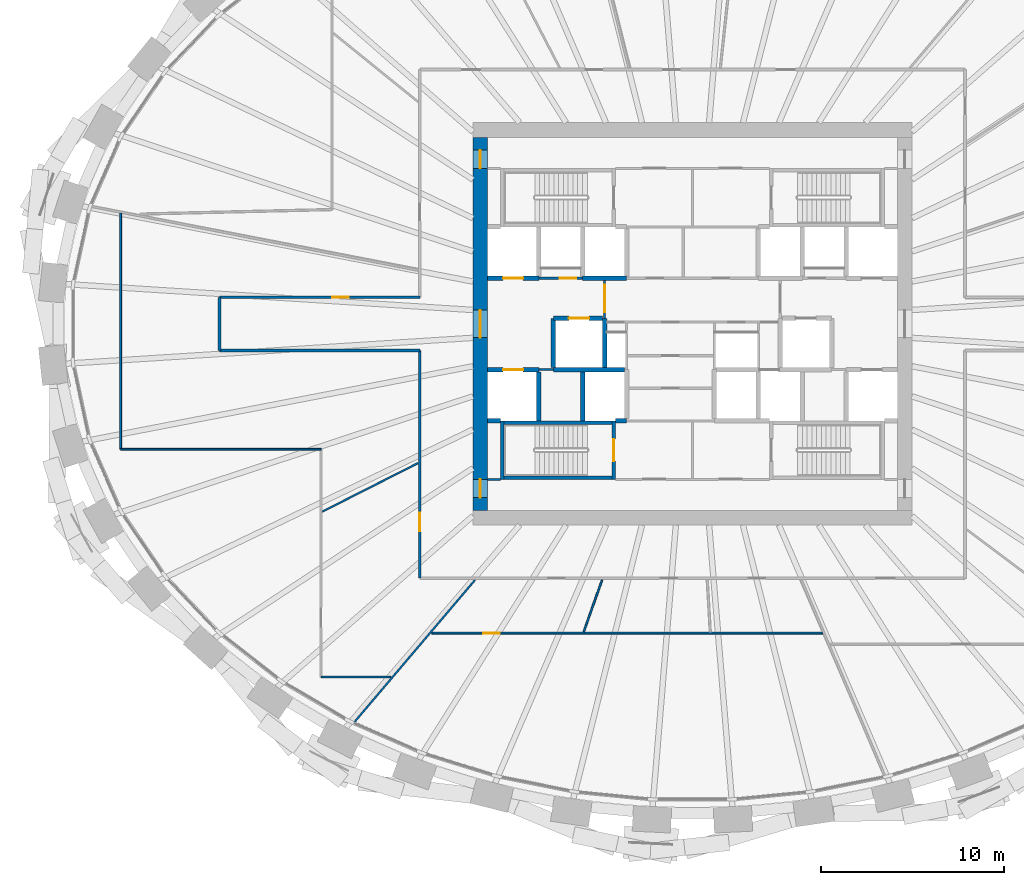
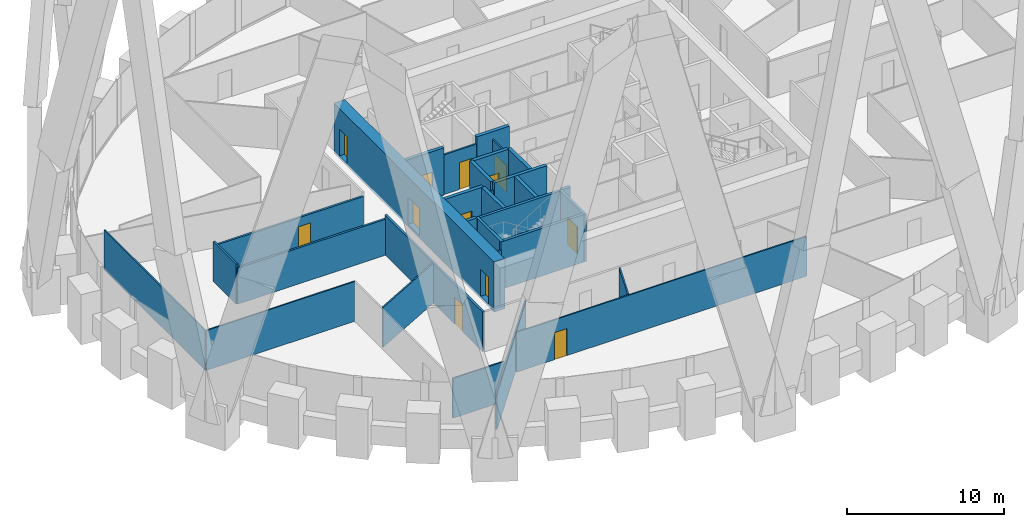
# One storey, part 7 of 12: 31 walls, 12 doors, 12 openings.
"""IFC4 building model written with IfcOpenShell, lengths in metres."""

from ifc_helpers import new_model, si_unit, direction, frame, frame_2d, origin, place, context, subcontext, project, spatial, rectangle, extrude, source, transform, mapped, material, layer, layer_set, type_object, element, fill, save


model = new_model("IFC4")

# Units and contexts
model_context = context("Model", 3, precision=1e-05, world=origin(), true_north=direction((0.0, 1.0)))
body_context = subcontext(model_context, "Body", "Model", "MODEL_VIEW")
ifc_project = project(units=[si_unit("LENGTHUNIT", "METRE"), si_unit("AREAUNIT", "SQUARE_METRE"), si_unit("VOLUMEUNIT", "CUBIC_METRE"), si_unit("PLANEANGLEUNIT", "RADIAN"), si_unit("MASSUNIT", "GRAM", prefix="KILO")], contexts=[model_context])

# Site, building, storey
site_placement = place(None, origin())
site = spatial("IfcSite", under=ifc_project, at=site_placement, CompositionType="ELEMENT")
building_placement = place(site_placement, origin())
building = spatial("IfcBuilding", under=site, at=building_placement, Name="Embergate Tower", CompositionType="ELEMENT")
storey_placement = place(building_placement, frame((0.0, 0.0, 222.89990234375)))
storey = spatial("IfcBuildingStorey", under=building, at=storey_placement, Name="L51", CompositionType="ELEMENT", Elevation=222.89990234375)

# Wall, openings, doors
ifc_material_1 = material(Name="Concrete C70", Category="concrete")
ifc_layer_1 = layer(ifc_material_1, 0.800048828125)
ifc_layer_set_1 = layer_set([ifc_layer_1], Name="Concrete C70")
wall_type_1 = type_object("IfcWallType", Name="Core outer wall C70 800", PredefinedType="SHEAR", material=ifc_layer_set_1)
shared_shape_1 = source(origin(), body_context, "Body", "SweptSolid", [
    extrude(rectangle(XDim=20.39990234375, YDim=0.800048828125, at=frame_2d((10.199951171875, 0.0))), origin(), (0.0, 0.0, 1.0), 3.900146484375),
])
wall_1_placement = place(storey_placement, frame((-11.60009765625, -10.199951171875, -0.199951171875), z_axis=(0.0, 0.0, 1.0), x_axis=(0.0, 1.0, 0.0)))
wall_1 = element("IfcWall", 1, at=wall_1_placement, inside=storey, type_object=wall_type_1, Name="CW-L51-W", PredefinedType="SHEAR", context=body_context, shape_type="MappedRepresentation", body=[
    mapped(shared_shape_1, transform((0.0, 0.0, 0.0))),
])
shared_shape_2 = source(origin(), body_context, "Body", "SweptSolid", [
    extrude(rectangle(XDim=1.0, YDim=2.10009765625, at=frame_2d((0.5, 1.050048828125))), frame((0.0, 0.409912109375, 0.0), z_axis=(0.0, -1.0, 0.0), x_axis=(1.0, 0.0, 0.0)), (0.0, 0.0, 1.0), 0.820068359375),
])
opening_1_placement = place(wall_1_placement, frame((18.699951171875, 0.0, 0.199951171875)))
opening_1 = element("IfcOpeningElement", 2, at=opening_1_placement, cuts=wall_1, Name="Opening IF-1d", PredefinedType="OPENING", context=body_context, shape_type="MappedRepresentation", body=[
    mapped(shared_shape_2, transform((0.0, 0.0, 0.0))),
])
opening_2_placement = place(wall_1_placement, frame((0.699951171875, 0.0, 0.199951171875)))
opening_2 = element("IfcOpeningElement", 3, at=opening_2_placement, cuts=wall_1, Name="Opening IF-1d", PredefinedType="OPENING", context=body_context, shape_type="MappedRepresentation", body=[
    mapped(shared_shape_2, transform((0.0, 0.0, 0.0))),
])
shared_shape_3 = source(origin(), body_context, "Body", "SweptSolid", [
    extrude(rectangle(XDim=1.5, YDim=2.10009765625, at=frame_2d((0.75, 1.050048828125))), frame((0.0, 0.409912109375, 0.0), z_axis=(0.0, -1.0, 0.0), x_axis=(1.0, 0.0, 0.0)), (0.0, 0.0, 1.0), 0.820068359375),
])
opening_3_placement = place(wall_1_placement, frame((9.449951171875, 0.0, 0.199951171875)))
opening_3 = element("IfcOpeningElement", 4, at=opening_3_placement, cuts=wall_1, Name="Opening IF-3", PredefinedType="OPENING", context=body_context, shape_type="MappedRepresentation", body=[
    mapped(shared_shape_3, transform((0.0, 0.0, 0.0))),
])
ifc_material_2 = material(Name="Lobby fire door pair 1500")
door_type_1 = type_object("IfcDoorType", Name="Lobby fire door pair 1500", OperationType="DOUBLE_DOOR_SINGLE_SWING", PredefinedType="DOOR", material=ifc_material_2)
shared_shape_4 = source(origin(), body_context, "Body", "SweptSolid", [
    extrude(rectangle(XDim=1.5, YDim=2.10009765625, at=frame_2d((0.75, 1.050048828125))), frame((0.0, 0.02490234375, 0.0), z_axis=(0.0, -1.0, 0.0), x_axis=(1.0, 0.0, 0.0)), (0.0, 0.0, 1.0), 0.050048828125),
])
door_1_placement = place(opening_3_placement, origin())
door_1 = element("IfcDoor", 5, at=door_1_placement, inside=storey, type_object=door_type_1, Name="IF-3 door", OperationType="DOUBLE_DOOR_SINGLE_SWING", OverallHeight=2.10009765625, OverallWidth=1.5, PredefinedType="DOOR", context=body_context, shape_type="MappedRepresentation", body=[
    mapped(shared_shape_4, transform((0.0, 0.0, 0.0))),
])
fill(opening_3, door_1)
ifc_material_3 = material(Name="Escape fire door 1000")
door_type_2 = type_object("IfcDoorType", Name="Escape fire door 1000", OperationType="SINGLE_SWING_LEFT", PredefinedType="DOOR", material=ifc_material_3)
shared_shape_5 = source(origin(), body_context, "Body", "SweptSolid", [
    extrude(rectangle(XDim=1.0, YDim=2.10009765625, at=frame_2d((0.5, 1.050048828125))), frame((0.0, 0.02490234375, 0.0), z_axis=(0.0, -1.0, 0.0), x_axis=(1.0, 0.0, 0.0)), (0.0, 0.0, 1.0), 0.050048828125),
])
door_2_placement = place(opening_1_placement, origin())
door_2 = element("IfcDoor", 6, at=door_2_placement, inside=storey, type_object=door_type_2, Name="IF-1 door", OperationType="SINGLE_SWING_LEFT", OverallHeight=2.10009765625, OverallWidth=1.0, PredefinedType="DOOR", context=body_context, shape_type="MappedRepresentation", body=[
    mapped(shared_shape_5, transform((0.0, 0.0, 0.0))),
])
fill(opening_1, door_2)
door_3_placement = place(opening_2_placement, origin())
door_3 = element("IfcDoor", 7, at=door_3_placement, inside=storey, type_object=door_type_2, Name="IF-1 door", OperationType="SINGLE_SWING_RIGHT", OverallHeight=2.10009765625, OverallWidth=1.0, PredefinedType="DOOR", context=body_context, shape_type="MappedRepresentation", body=[
    mapped(shared_shape_5, transform((0.0, 0.0, 0.0))),
])
fill(opening_2, door_3)

# Wall, opening, door
ifc_material_4 = material(Name="Core partition blockwork 120")
ifc_layer_2 = layer(ifc_material_4, 0.1201171875)
ifc_layer_set_2 = layer_set([ifc_layer_2], Name="Core partition blockwork 120")
wall_type_2 = type_object("IfcWallType", Name="Core partition blockwork 120", PredefinedType="PARTITIONING", material=ifc_layer_set_2)
shared_shape_6 = source(origin(), body_context, "Body", "SweptSolid", [
    extrude(rectangle(XDim=2.074951171875, YDim=0.1201171875, at=frame_2d((1.03759765625, 0.0))), origin(), (0.0, 0.0, 1.0), 3.10009765625),
])
wall_2_placement = place(storey_placement, frame((-4.800048828125, 2.375, 0.0), z_axis=(0.0, 0.0, 1.0), x_axis=(0.0, -1.0, 0.0)))
wall_2 = element("IfcWall", 8, at=wall_2_placement, inside=storey, type_object=wall_type_2, Name="IP-3 wall", PredefinedType="PARTITIONING", context=body_context, shape_type="MappedRepresentation", body=[
    mapped(shared_shape_6, transform((0.0, 0.0, 0.0))),
])
shared_shape_7 = source(origin(), body_context, "Body", "SweptSolid", [
    extrude(rectangle(XDim=1.5, YDim=2.10009765625, at=frame_2d((0.75, 1.050048828125))), frame((0.0, 0.070068359375, 0.0), z_axis=(0.0, -1.0, 0.0), x_axis=(1.0, 0.0, 0.0)), (0.0, 0.0, 1.0), 0.14013671875),
])
opening_4_placement = place(wall_2_placement, frame((0.22509765625, 0.0, 0.0)))
opening_4 = element("IfcOpeningElement", 9, at=opening_4_placement, cuts=wall_2, Name="Opening IF-3", PredefinedType="OPENING", context=body_context, shape_type="MappedRepresentation", body=[
    mapped(shared_shape_7, transform((0.0, 0.0, 0.0))),
])
door_4_placement = place(opening_4_placement, origin())
door_4 = element("IfcDoor", 10, at=door_4_placement, inside=storey, type_object=door_type_1, Name="IF-3 door", OperationType="DOUBLE_DOOR_SINGLE_SWING", OverallHeight=2.10009765625, OverallWidth=1.5, PredefinedType="DOOR", context=body_context, shape_type="MappedRepresentation", body=[
    mapped(shared_shape_4, transform((0.0, 0.0, 0.0))),
])
fill(opening_4, door_4)

# Wall
ifc_material_5 = material(Name="Concrete C50", Category="concrete")
ifc_layer_3 = layer(ifc_material_5, 0.25)
ifc_layer_set_3 = layer_set([ifc_layer_3], Name="Concrete C50")
wall_type_3 = type_object("IfcWallType", Name="Hoistway wall reinforced concrete 250", PredefinedType="SHEAR", material=ifc_layer_set_3)
shared_shape_8 = source(origin(), body_context, "Body", "SweptSolid", [
    extrude(rectangle(XDim=2.675048828125, YDim=0.25, at=frame_2d((1.33740234375, 0.0))), origin(), (0.0, 0.0, 1.0), 3.7001953125),
])
wall_3_placement = place(storey_placement, frame((-4.800048828125, 0.300048828125, 0.0), z_axis=(0.0, 0.0, 1.0), x_axis=(0.0, -1.0, 0.0)))
element("IfcWall", 11, at=wall_3_placement, inside=storey, type_object=wall_type_3, Name="HW-1 wall", PredefinedType="SHEAR", context=body_context, shape_type="MappedRepresentation", body=[
    mapped(shared_shape_8, transform((0.0, 0.0, 0.0))),
])

# Wall, opening, door
wall_4_placement = place(storey_placement, frame((-4.925048828125, 0.300048828125, 0.0), z_axis=(0.0, 0.0, 1.0), x_axis=(-1.0, 0.0, 0.0)))
wall_4 = element("IfcWall", 12, at=wall_4_placement, inside=storey, type_object=wall_type_3, Name="HW-1 wall", PredefinedType="SHEAR", context=body_context, shape_type="MappedRepresentation", body=[
    mapped(shared_shape_8, transform((0.0, 0.0, 0.0))),
])
shared_shape_9 = source(origin(), body_context, "Body", "SweptSolid", [
    extrude(rectangle(XDim=1.10009765625, YDim=2.10009765625, at=frame_2d((0.550048828125, 1.050048828125))), frame((0.0, 0.135009765625, 0.0), z_axis=(0.0, -1.0, 0.0), x_axis=(1.0, 0.0, 0.0)), (0.0, 0.0, 1.0), 0.27001953125),
])
opening_5_placement = place(wall_4_placement, frame((0.72509765625, 0.0, 0.0)))
opening_5 = element("IfcOpeningElement", 13, at=opening_5_placement, cuts=wall_4, Name="Opening LD", PredefinedType="OPENING", context=body_context, shape_type="MappedRepresentation", body=[
    mapped(shared_shape_9, transform((0.0, 0.0, 0.0))),
])
ifc_material_6 = material(Name="Landing door sliding 1100")
door_type_3 = type_object("IfcDoorType", Name="Landing door sliding 1100", OperationType="SLIDING_TO_LEFT", PredefinedType="DOOR", material=ifc_material_6)
shared_shape_10 = source(origin(), body_context, "Body", "SweptSolid", [
    extrude(rectangle(XDim=1.10009765625, YDim=2.10009765625, at=frame_2d((0.550048828125, 1.050048828125))), frame((0.0, 0.02490234375, 0.0), z_axis=(0.0, -1.0, 0.0), x_axis=(1.0, 0.0, 0.0)), (0.0, 0.0, 1.0), 0.050048828125),
])
door_5_placement = place(opening_5_placement, origin())
door_5 = element("IfcDoor", 14, at=door_5_placement, inside=storey, type_object=door_type_3, Name="LD door", OperationType="SLIDING_TO_RIGHT", OverallHeight=2.10009765625, OverallWidth=1.10009765625, PredefinedType="DOOR", context=body_context, shape_type="MappedRepresentation", body=[
    mapped(shared_shape_10, transform((0.0, 0.0, 0.0))),
])
fill(opening_5, door_5)

# Walls
wall_5_placement = place(storey_placement, frame((-7.60009765625, 0.300048828125, 0.0), z_axis=(0.0, 0.0, 1.0), x_axis=(0.0, -1.0, 0.0)))
element("IfcWall", 15, at=wall_5_placement, inside=storey, type_object=wall_type_3, Name="HW-1 wall", PredefinedType="SHEAR", context=body_context, shape_type="MappedRepresentation", body=[
    mapped(shared_shape_8, transform((0.0, 0.0, 0.0))),
])
ifc_layer_4 = layer(ifc_material_5, 0.199951171875)
ifc_layer_set_4 = layer_set([ifc_layer_4], Name="Concrete C50")
wall_type_4 = type_object("IfcWallType", Name="Stair enclosure wall reinforced concrete 250", PredefinedType="SHEAR", material=ifc_layer_set_4)
shared_shape_11 = source(origin(), body_context, "Body", "SweptSolid", [
    extrude(rectangle(XDim=6.300048828125, YDim=0.199951171875, at=frame_2d((3.14990234375, 0.0))), origin(), (0.0, 0.0, 1.0), 3.7001953125),
])
for number, where, z_axis, x_axis, name in (
    (16, (-10.5, -5.39990234375, 0.0), (0.0, 0.0, 1.0), (1.0, 0.0, 0.0), "SE-1 wall"),
    (17, (-10.5, -8.39990234375, 0.0), (0.0, 0.0, 1.0), (1.0, 0.0, 0.0), "SE-1 wall"),
):
    element("IfcWall", number, at=place(storey_placement, frame(where, z_axis=z_axis, x_axis=x_axis)), inside=storey, type_object=wall_type_4, Name=name, PredefinedType="SHEAR", context=body_context, shape_type="MappedRepresentation", body=[
        mapped(shared_shape_11, transform((0.0, 0.0, 0.0))),
    ])

# Wall, opening, door
shared_shape_12 = source(origin(), body_context, "Body", "SweptSolid", [
    extrude(rectangle(XDim=3.199951171875, YDim=0.199951171875, at=frame_2d((1.60009765625, 0.0))), origin(), (0.0, 0.0, 1.0), 3.7001953125),
])
wall_6_placement = place(storey_placement, frame((-4.300048828125, -8.5, 0.0), z_axis=(0.0, 0.0, 1.0), x_axis=(0.0, 1.0, 0.0)))
wall_6 = element("IfcWall", 18, at=wall_6_placement, inside=storey, type_object=wall_type_4, Name="SE-1 wall", PredefinedType="SHEAR", context=body_context, shape_type="MappedRepresentation", body=[
    mapped(shared_shape_12, transform((0.0, 0.0, 0.0))),
])
shared_shape_13 = source(origin(), body_context, "Body", "SweptSolid", [
    extrude(rectangle(XDim=1.199951171875, YDim=2.10009765625, at=frame_2d((0.60009765625, 1.050048828125))), frame((0.0, 0.10986328125, 0.0), z_axis=(0.0, -1.0, 0.0), x_axis=(1.0, 0.0, 0.0)), (0.0, 0.0, 1.0), 0.219970703125),
])
opening_6_placement = place(wall_6_placement, frame((1.0, 0.0, 0.0)))
opening_6 = element("IfcOpeningElement", 19, at=opening_6_placement, cuts=wall_6, Name="Opening IF-2", PredefinedType="OPENING", context=body_context, shape_type="MappedRepresentation", body=[
    mapped(shared_shape_13, transform((0.0, 0.0, 0.0))),
])
ifc_material_7 = material(Name="Stair enclosure door 1200")
door_type_4 = type_object("IfcDoorType", Name="Stair enclosure door 1200", OperationType="SINGLE_SWING_LEFT", PredefinedType="DOOR", material=ifc_material_7)
shared_shape_14 = source(origin(), body_context, "Body", "SweptSolid", [
    extrude(rectangle(XDim=1.199951171875, YDim=2.10009765625, at=frame_2d((0.60009765625, 1.050048828125))), frame((0.0, 0.02490234375, 0.0), z_axis=(0.0, -1.0, 0.0), x_axis=(1.0, 0.0, 0.0)), (0.0, 0.0, 1.0), 0.050048828125),
])
door_6_placement = place(opening_6_placement, origin())
door_6 = element("IfcDoor", 20, at=door_6_placement, inside=storey, type_object=door_type_4, Name="IF-2 door", OperationType="SINGLE_SWING_RIGHT", OverallHeight=2.10009765625, OverallWidth=1.199951171875, PredefinedType="DOOR", context=body_context, shape_type="MappedRepresentation", body=[
    mapped(shared_shape_14, transform((0.0, 0.0, 0.0))),
])
fill(opening_6, door_6)

# Walls
shared_shape_15 = source(origin(), body_context, "Body", "SweptSolid", [
    extrude(rectangle(XDim=2.39990234375, YDim=0.25, at=frame_2d((1.199951171875, 0.0))), origin(), (0.0, 0.0, 1.0), 3.7001953125),
])
wall_7_placement = place(storey_placement, frame((-6.0, 2.5, 0.0), z_axis=(0.0, 0.0, 1.0), x_axis=(1.0, 0.0, 0.0)))
element("IfcWall", 21, at=wall_7_placement, inside=storey, type_object=wall_type_3, Name="HW-1 wall", PredefinedType="SHEAR", context=body_context, shape_type="MappedRepresentation", body=[
    mapped(shared_shape_15, transform((0.0, 0.0, 0.0))),
])
ifc_material_8 = material(Name="Partition dry-lined 100")
ifc_layer_5 = layer(ifc_material_8, 0.10009765625)
ifc_layer_set_5 = layer_set([ifc_layer_5], Name="Partition dry-lined 100")
wall_type_5 = type_object("IfcWallType", Name="Partition dry-lined 100", PredefinedType="PARTITIONING", material=ifc_layer_set_5)
shared_shape_16 = source(origin(), body_context, "Body", "SweptSolid", [
    extrude(rectangle(XDim=10.949951171875, YDim=0.10009765625, at=frame_2d((5.47509765625, 0.0))), origin(), (0.0, 0.0, 1.0), 3.10009765625),
])
wall_8_placement = place(storey_placement, frame((-20.300048828125, -6.85009765625, 0.0), z_axis=(0.0, 0.0, 1.0), x_axis=(-1.0, 0.0, 0.0)))
element("IfcWall", 22, at=wall_8_placement, inside=storey, type_object=wall_type_5, Name="IP-1 wall", PredefinedType="PARTITIONING", context=body_context, shape_type="MappedRepresentation", body=[
    mapped(shared_shape_16, transform((0.0, 0.0, 0.0))),
])

# Wall, opening, door
shared_shape_17 = source(origin(), body_context, "Body", "SweptSolid", [
    extrude(rectangle(XDim=2.39990234375, YDim=0.1201171875, at=frame_2d((1.199951171875, 0.0))), origin(), (0.0, 0.0, 1.0), 3.10009765625),
])
wall_9_placement = place(storey_placement, frame((-8.39990234375, 2.5, 0.0), z_axis=(0.0, 0.0, 1.0), x_axis=(1.0, 0.0, 0.0)))
wall_9 = element("IfcWall", 23, at=wall_9_placement, inside=storey, type_object=wall_type_2, Name="IP-3 wall", PredefinedType="PARTITIONING", context=body_context, shape_type="MappedRepresentation", body=[
    mapped(shared_shape_17, transform((0.0, 0.0, 0.0))),
])
shared_shape_18 = source(origin(), body_context, "Body", "SweptSolid", [
    extrude(rectangle(XDim=0.89990234375, YDim=2.10009765625, at=frame_2d((0.449951171875, 1.050048828125))), frame((0.0, 0.070068359375, 0.0), z_axis=(0.0, -1.0, 0.0), x_axis=(1.0, 0.0, 0.0)), (0.0, 0.0, 1.0), 0.14013671875),
])
opening_7_placement = place(wall_9_placement, frame((1.14990234375, 0.0, 0.0)))
opening_7 = element("IfcOpeningElement", 24, at=opening_7_placement, cuts=wall_9, Name="Opening ID-1", PredefinedType="OPENING", context=body_context, shape_type="MappedRepresentation", body=[
    mapped(shared_shape_18, transform((0.0, 0.0, 0.0))),
])
ifc_material_9 = material(Name="Interior door 900")
door_type_5 = type_object("IfcDoorType", Name="Interior door 900", OperationType="SINGLE_SWING_LEFT", PredefinedType="DOOR", material=ifc_material_9)
shared_shape_19 = source(origin(), body_context, "Body", "SweptSolid", [
    extrude(rectangle(XDim=0.89990234375, YDim=2.10009765625, at=frame_2d((0.449951171875, 1.050048828125))), frame((0.0, 0.02490234375, 0.0), z_axis=(0.0, -1.0, 0.0), x_axis=(1.0, 0.0, 0.0)), (0.0, 0.0, 1.0), 0.050048828125),
])
door_7_placement = place(opening_7_placement, origin())
door_7 = element("IfcDoor", 25, at=door_7_placement, inside=storey, type_object=door_type_5, Name="ID-1 door", OperationType="SINGLE_SWING_RIGHT", OverallHeight=2.10009765625, OverallWidth=0.89990234375, PredefinedType="DOOR", context=body_context, shape_type="MappedRepresentation", body=[
    mapped(shared_shape_19, transform((0.0, 0.0, 0.0))),
])
fill(opening_7, door_7)

# Walls
shared_shape_20 = source(origin(), body_context, "Body", "SweptSolid", [
    extrude(rectangle(XDim=0.7958984375, YDim=0.1201171875, at=frame_2d((0.39794921875, 0.0))), origin(), (0.0, 0.0, 1.0), 3.10009765625),
])
wall_10_placement = place(storey_placement, frame((-8.39794921875, -2.5, 0.0), z_axis=(0.0, 0.0, 1.0), x_axis=(1.0, 0.0, 0.0)))
element("IfcWall", 26, at=wall_10_placement, inside=storey, type_object=wall_type_2, Name="IP-3 wall", PredefinedType="PARTITIONING", context=body_context, shape_type="MappedRepresentation", body=[
    mapped(shared_shape_20, transform((0.0, 0.0, 0.0))),
])
shared_shape_21 = source(origin(), body_context, "Body", "SweptSolid", [
    extrude(rectangle(XDim=0.697998046875, YDim=0.1201171875, at=frame_2d((0.34912109375, 0.0))), origin(), (0.0, 0.0, 1.0), 3.10009765625),
])
wall_11_placement = place(storey_placement, frame((-10.501953125, -8.5, 0.0), z_axis=(0.0, 0.0, 1.0), x_axis=(-1.0, 0.0, 0.0)))
element("IfcWall", 27, at=wall_11_placement, inside=storey, type_object=wall_type_2, Name="IP-3 wall", PredefinedType="PARTITIONING", context=body_context, shape_type="MappedRepresentation", body=[
    mapped(shared_shape_21, transform((0.0, 0.0, 0.0))),
])

# Wall, opening, door
shared_shape_22 = source(origin(), body_context, "Body", "SweptSolid", [
    extrude(rectangle(XDim=2.800048828125, YDim=0.25, at=frame_2d((1.39990234375, 0.0))), origin(), (0.0, 0.0, 1.0), 3.7001953125),
])
wall_12_placement = place(storey_placement, frame((-11.199951171875, 2.5, 0.0), z_axis=(0.0, 0.0, 1.0), x_axis=(1.0, 0.0, 0.0)))
wall_12 = element("IfcWall", 28, at=wall_12_placement, inside=storey, type_object=wall_type_3, Name="HW-1 wall", PredefinedType="SHEAR", context=body_context, shape_type="MappedRepresentation", body=[
    mapped(shared_shape_22, transform((0.0, 0.0, 0.0))),
])
opening_8_placement = place(wall_12_placement, frame((0.85009765625, 0.0, 0.0)))
opening_8 = element("IfcOpeningElement", 29, at=opening_8_placement, cuts=wall_12, Name="Opening LD", PredefinedType="OPENING", context=body_context, shape_type="MappedRepresentation", body=[
    mapped(shared_shape_9, transform((0.0, 0.0, 0.0))),
])
door_8_placement = place(opening_8_placement, origin())
door_8 = element("IfcDoor", 30, at=door_8_placement, inside=storey, type_object=door_type_3, Name="LD door", OperationType="SLIDING_TO_LEFT", OverallHeight=2.10009765625, OverallWidth=1.10009765625, PredefinedType="DOOR", context=body_context, shape_type="MappedRepresentation", body=[
    mapped(shared_shape_10, transform((0.0, 0.0, 0.0))),
])
fill(opening_8, door_8)

wall_13_placement = place(storey_placement, frame((-8.39990234375, -2.5, 0.0), z_axis=(0.0, 0.0, 1.0), x_axis=(-1.0, 0.0, 0.0)))
wall_13 = element("IfcWall", 31, at=wall_13_placement, inside=storey, type_object=wall_type_3, Name="HW-1 wall", PredefinedType="SHEAR", context=body_context, shape_type="MappedRepresentation", body=[
    mapped(shared_shape_22, transform((0.0, 0.0, 0.0))),
])
opening_9_placement = place(wall_13_placement, frame((0.85009765625, 0.0, 0.0)))
opening_9 = element("IfcOpeningElement", 32, at=opening_9_placement, cuts=wall_13, Name="Opening LD", PredefinedType="OPENING", context=body_context, shape_type="MappedRepresentation", body=[
    mapped(shared_shape_9, transform((0.0, 0.0, 0.0))),
])
door_9_placement = place(opening_9_placement, origin())
door_9 = element("IfcDoor", 33, at=door_9_placement, inside=storey, type_object=door_type_3, Name="LD door", OperationType="SLIDING_TO_LEFT", OverallHeight=2.10009765625, OverallWidth=1.10009765625, PredefinedType="DOOR", context=body_context, shape_type="MappedRepresentation", body=[
    mapped(shared_shape_10, transform((0.0, 0.0, 0.0))),
])
fill(opening_9, door_9)

# Walls
shared_shape_23 = source(origin(), body_context, "Body", "SweptSolid", [
    extrude(rectangle(XDim=0.599853515625, YDim=0.25, at=frame_2d((0.2998046875, 0.0))), origin(), (0.0, 0.0, 1.0), 3.7001953125),
])
wall_14_placement = place(storey_placement, frame((-4.199951171875, -5.300048828125, 0.0), z_axis=(0.0, 0.0, 1.0), x_axis=(1.0, 0.0, 0.0)))
element("IfcWall", 34, at=wall_14_placement, inside=storey, type_object=wall_type_3, Name="HW-1 wall", PredefinedType="SHEAR", context=body_context, shape_type="MappedRepresentation", body=[
    mapped(shared_shape_23, transform((0.0, 0.0, 0.0))),
])
shared_shape_24 = source(origin(), body_context, "Body", "SweptSolid", [
    extrude(rectangle(XDim=3.872802734375, YDim=0.25, at=frame_2d((1.9365234375, 0.0))), origin(), (0.0, 0.0, 1.0), 3.7001953125),
])
wall_15_placement = place(storey_placement, frame((-3.72509765625, -2.5, 0.0), z_axis=(0.0, 0.0, 1.0), x_axis=(-1.0, 0.0, 0.0)))
element("IfcWall", 35, at=wall_15_placement, inside=storey, type_object=wall_type_3, Name="HW-1 wall", PredefinedType="SHEAR", context=body_context, shape_type="MappedRepresentation", body=[
    mapped(shared_shape_24, transform((0.0, 0.0, 0.0))),
])
shared_shape_25 = source(origin(), body_context, "Body", "SweptSolid", [
    extrude(rectangle(XDim=3.196044921875, YDim=0.199951171875, at=frame_2d((1.59814453125, 0.0))), origin(), (0.0, 0.0, 1.0), 3.7001953125),
])
wall_16_placement = place(storey_placement, frame((-10.39990234375, -5.302001953125, 0.0), z_axis=(0.0, 0.0, 1.0), x_axis=(0.0, -1.0, 0.0)))
element("IfcWall", 36, at=wall_16_placement, inside=storey, type_object=wall_type_4, Name="SE-1 wall", PredefinedType="SHEAR", context=body_context, shape_type="MappedRepresentation", body=[
    mapped(shared_shape_25, transform((0.0, 0.0, 0.0))),
])
shared_shape_26 = source(origin(), body_context, "Body", "SweptSolid", [
    extrude(rectangle(XDim=0.697998046875, YDim=0.25, at=frame_2d((0.34912109375, 0.0))), origin(), (0.0, 0.0, 1.0), 3.7001953125),
])
wall_17_placement = place(storey_placement, frame((-11.199951171875, -5.300048828125, 0.0), z_axis=(0.0, 0.0, 1.0), x_axis=(1.0, 0.0, 0.0)))
element("IfcWall", 37, at=wall_17_placement, inside=storey, type_object=wall_type_3, Name="HW-1 wall", PredefinedType="SHEAR", context=body_context, shape_type="MappedRepresentation", body=[
    mapped(shared_shape_26, transform((0.0, 0.0, 0.0))),
])
shared_shape_27 = source(origin(), body_context, "Body", "SweptSolid", [
    extrude(rectangle(XDim=2.671142578125, YDim=0.25, at=frame_2d((1.33544921875, 0.0))), origin(), (0.0, 0.0, 1.0), 3.7001953125),
])
for number, where, z_axis, x_axis, name in (
    (38, (-8.39990234375, -5.298095703125, 0.0), (0.0, 0.0, 1.0), (0.0, 1.0, 0.0), "HW-1 wall"),
    (39, (-6.0, -2.626953125, 0.0), (0.0, 0.0, 1.0), (0.0, -1.0, 0.0), "HW-1 wall"),
):
    element("IfcWall", number, at=place(storey_placement, frame(where, z_axis=z_axis, x_axis=x_axis)), inside=storey, type_object=wall_type_3, Name=name, PredefinedType="SHEAR", context=body_context, shape_type="MappedRepresentation", body=[
        mapped(shared_shape_27, transform((0.0, 0.0, 0.0))),
    ])
ifc_material_10 = material(Name="Corridor wall dry-lined 150")
ifc_layer_6 = layer(ifc_material_10, 0.14990234375)
ifc_layer_set_6 = layer_set([ifc_layer_6], Name="Corridor wall dry-lined 150")
wall_type_6 = type_object("IfcWallType", Name="Corridor wall dry-lined 150", PredefinedType="PARTITIONING", material=ifc_layer_set_6)
shared_shape_28 = source(origin(), body_context, "Body", "SweptSolid", [
    extrude(rectangle(XDim=10.9501953125, YDim=0.14990234375, at=frame_2d((5.47509765625, 0.0))), origin(), (0.0, 0.0, 1.0), 2.800048828125),
])
wall_18_placement = place(storey_placement, frame((-14.89990234375, -1.449951171875, 0.0), z_axis=(0.0, 0.0, 1.0), x_axis=(-1.0, 0.0, 0.0)))
element("IfcWall", 40, at=wall_18_placement, inside=storey, type_object=wall_type_6, Name="IP-2 wall", PredefinedType="PARTITIONING", context=body_context, shape_type="MappedRepresentation", body=[
    mapped(shared_shape_28, transform((0.0, 0.0, 0.0))),
])

# Wall, opening, door
wall_19_placement = place(storey_placement, frame((-25.85009765625, 1.449951171875, 0.0), z_axis=(0.0, 0.0, 1.0), x_axis=(1.0, 0.0, 0.0)))
wall_19 = element("IfcWall", 41, at=wall_19_placement, inside=storey, type_object=wall_type_6, Name="IP-2 wall", PredefinedType="PARTITIONING", context=body_context, shape_type="MappedRepresentation", body=[
    mapped(shared_shape_28, transform((0.0, 0.0, 0.0))),
])
shared_shape_29 = source(origin(), body_context, "Body", "SweptSolid", [
    extrude(rectangle(XDim=0.89990234375, YDim=2.10009765625, at=frame_2d((0.449951171875, 1.050048828125))), frame((0.0, 0.0849609375, 0.0), z_axis=(0.0, -1.0, 0.0), x_axis=(1.0, 0.0, 0.0)), (0.0, 0.0, 1.0), 0.169921875),
])
opening_10_placement = place(wall_19_placement, frame((6.158935546875, 0.0, 0.0)))
opening_10 = element("IfcOpeningElement", 42, at=opening_10_placement, cuts=wall_19, Name="Opening IF-1c", PredefinedType="OPENING", context=body_context, shape_type="MappedRepresentation", body=[
    mapped(shared_shape_29, transform((0.0, 0.0, 0.0))),
])
ifc_material_11 = material(Name="Escape fire door 900")
door_type_6 = type_object("IfcDoorType", Name="Escape fire door 900", OperationType="SINGLE_SWING_LEFT", PredefinedType="DOOR", material=ifc_material_11)
door_10_placement = place(opening_10_placement, origin())
door_10 = element("IfcDoor", 43, at=door_10_placement, inside=storey, type_object=door_type_6, Name="IF-1 door", OperationType="SINGLE_SWING_RIGHT", OverallHeight=2.10009765625, OverallWidth=0.89990234375, PredefinedType="DOOR", context=body_context, shape_type="MappedRepresentation", body=[
    mapped(shared_shape_19, transform((0.0, 0.0, 0.0))),
])
fill(opening_10, door_10)

shared_shape_30 = source(origin(), body_context, "Body", "SweptSolid", [
    extrude(rectangle(XDim=12.449951171875, YDim=0.14990234375, at=frame_2d((6.22509765625, 0.0))), origin(), (0.0, 0.0, 1.0), 3.10009765625),
])
wall_20_placement = place(storey_placement, frame((-14.89990234375, -13.89990234375, 0.0), z_axis=(0.0, 0.0, 1.0), x_axis=(0.0, 1.0, 0.0)))
wall_20 = element("IfcWall", 44, at=wall_20_placement, inside=storey, type_object=wall_type_6, Name="IP-2 wall", PredefinedType="PARTITIONING", context=body_context, shape_type="MappedRepresentation", body=[
    mapped(shared_shape_30, transform((0.0, 0.0, 0.0))),
])
shared_shape_31 = source(origin(), body_context, "Body", "SweptSolid", [
    extrude(rectangle(XDim=1.0, YDim=2.10009765625, at=frame_2d((0.5, 1.050048828125))), frame((0.0, 0.0849609375, 0.0), z_axis=(0.0, -1.0, 0.0), x_axis=(1.0, 0.0, 0.0)), (0.0, 0.0, 1.0), 0.169921875),
])
opening_11_placement = place(wall_20_placement, frame((2.576904296875, 0.0, 0.0)))
opening_11 = element("IfcOpeningElement", 45, at=opening_11_placement, cuts=wall_20, Name="Opening ID-2", PredefinedType="OPENING", context=body_context, shape_type="MappedRepresentation", body=[
    mapped(shared_shape_31, transform((0.0, 0.0, 0.0))),
])
ifc_material_12 = material(Name="Interior door 1000")
door_type_7 = type_object("IfcDoorType", Name="Interior door 1000", OperationType="SINGLE_SWING_LEFT", PredefinedType="DOOR", material=ifc_material_12)
door_11_placement = place(opening_11_placement, origin())
door_11 = element("IfcDoor", 46, at=door_11_placement, inside=storey, type_object=door_type_7, Name="ID-2 door", OperationType="SINGLE_SWING_RIGHT", OverallHeight=2.10009765625, OverallWidth=1.0, PredefinedType="DOOR", context=body_context, shape_type="MappedRepresentation", body=[
    mapped(shared_shape_5, transform((0.0, 0.0, 0.0))),
])
fill(opening_11, door_11)

# Walls
shared_shape_32 = source(origin(), body_context, "Body", "SweptSolid", [
    extrude(rectangle(XDim=2.89990234375, YDim=0.14990234375, at=frame_2d((1.449951171875, 0.0))), origin(), (0.0, 0.0, 1.0), 3.10009765625),
])
wall_21_placement = place(storey_placement, frame((-25.85009765625, -1.449951171875, 0.0), z_axis=(0.0, 0.0, 1.0), x_axis=(0.0, 1.0, 0.0)))
element("IfcWall", 47, at=wall_21_placement, inside=storey, type_object=wall_type_6, Name="IP-2 wall", PredefinedType="PARTITIONING", context=body_context, shape_type="MappedRepresentation", body=[
    mapped(shared_shape_32, transform((0.0, 0.0, 0.0))),
])
ifc_material_13 = material(Name="Partition dry-lined 100 wet")
ifc_layer_7 = layer(ifc_material_13, 0.10009765625)
ifc_layer_set_7 = layer_set([ifc_layer_7], Name="Partition dry-lined 100 wet")
wall_type_7 = type_object("IfcWallType", Name="Partition dry-lined 100 wet", PredefinedType="PLUMBINGWALL", material=ifc_layer_set_7)
shared_shape_33 = source(origin(), body_context, "Body", "SweptSolid", [
    extrude(rectangle(XDim=3.01318359375, YDim=0.10009765625, at=frame_2d((1.506591796875, 0.0))), origin(), (0.0, 0.0, 1.0), 3.10009765625),
])
wall_22_placement = place(storey_placement, frame((-4.94091796875, -13.991943359375, 0.0), z_axis=(0.0, 0.0, 1.0), x_axis=(-0.333239649272, -0.942842158663, 0.0)))
element("IfcWall", 48, at=wall_22_placement, inside=storey, type_object=wall_type_7, Name="IP-1 wall", PredefinedType="PLUMBINGWALL", context=body_context, shape_type="MappedRepresentation", body=[
    mapped(shared_shape_33, transform((0.0, 0.0, 0.0))),
])
shared_shape_34 = source(origin(), body_context, "Body", "SweptSolid", [
    extrude(rectangle(XDim=10.236083984375, YDim=0.10009765625, at=frame_2d((5.1181640625, 0.0))), origin(), (0.0, 0.0, 1.0), 3.0),
])
wall_23_placement = place(storey_placement, frame((-18.51806640625, -21.81005859375, 0.0), z_axis=(0.0, 0.0, 1.0), x_axis=(0.647221146286, 0.762302294238, 0.0)))
element("IfcWall", 49, at=wall_23_placement, inside=storey, type_object=wall_type_7, Name="IP-1 wall", PredefinedType="PLUMBINGWALL", context=body_context, shape_type="MappedRepresentation", body=[
    mapped(shared_shape_34, transform((0.0, 0.0, 0.0))),
])

# Wall, opening, door
shared_shape_35 = source(origin(), body_context, "Body", "SweptSolid", [
    extrude(rectangle(XDim=21.35302734375, YDim=0.10009765625, at=frame_2d((10.676513671875, 0.0))), origin(), (0.0, 0.0, 1.0), 3.10009765625),
])
wall_24_placement = place(storey_placement, frame((-14.241943359375, -16.89990234375, 0.0), z_axis=(0.0, 0.0, 1.0), x_axis=(1.0, 0.0, 0.0)))
wall_24 = element("IfcWall", 50, at=wall_24_placement, inside=storey, type_object=wall_type_7, Name="IP-1 wall", PredefinedType="PLUMBINGWALL", context=body_context, shape_type="MappedRepresentation", body=[
    mapped(shared_shape_35, transform((0.0, 0.0, 0.0))),
])
shared_shape_36 = source(origin(), body_context, "Body", "SweptSolid", [
    extrude(rectangle(XDim=0.89990234375, YDim=2.10009765625, at=frame_2d((0.449951171875, 1.050048828125))), frame((0.0, 0.06005859375, 0.0), z_axis=(0.0, -1.0, 0.0), x_axis=(1.0, 0.0, 0.0)), (0.0, 0.0, 1.0), 0.1201171875),
])
opening_12_placement = place(wall_24_placement, frame((2.806396484375, 0.0, 0.0)))
opening_12 = element("IfcOpeningElement", 51, at=opening_12_placement, cuts=wall_24, Name="Opening ID-1", PredefinedType="OPENING", context=body_context, shape_type="MappedRepresentation", body=[
    mapped(shared_shape_36, transform((0.0, 0.0, 0.0))),
])
door_12_placement = place(opening_12_placement, origin())
door_12 = element("IfcDoor", 52, at=door_12_placement, inside=storey, type_object=door_type_5, Name="ID-1 door", OperationType="SINGLE_SWING_LEFT", OverallHeight=2.10009765625, OverallWidth=0.89990234375, PredefinedType="DOOR", context=body_context, shape_type="MappedRepresentation", body=[
    mapped(shared_shape_19, transform((0.0, 0.0, 0.0))),
])
fill(opening_12, door_12)

# Walls
shared_shape_37 = source(origin(), body_context, "Body", "SweptSolid", [
    extrude(rectangle(XDim=5.863525390625, YDim=0.10009765625, at=frame_2d((2.931640625, 0.0))), origin(), (0.0, 0.0, 1.0), 3.10009765625),
])
wall_25_placement = place(storey_placement, frame((-14.998046875, -7.60595703125, 0.0), z_axis=(0.0, 0.0, 1.0), x_axis=(-0.891780251678, -0.452468764356, 0.0)))
element("IfcWall", 53, at=wall_25_placement, inside=storey, type_object=wall_type_5, Name="IP-1 wall", PredefinedType="PARTITIONING", context=body_context, shape_type="MappedRepresentation", body=[
    mapped(shared_shape_37, transform((0.0, 0.0, 0.0))),
])
shared_shape_38 = source(origin(), body_context, "Body", "SweptSolid", [
    extrude(rectangle(XDim=12.899169921875, YDim=0.10009765625, at=frame_2d((6.44970703125, 0.0))), origin(), (0.0, 0.0, 1.0), 3.10009765625),
])
wall_26_placement = place(storey_placement, frame((-31.25, -6.85009765625, 0.0), z_axis=(0.0, 0.0, 1.0), x_axis=(0.0, 1.0, 0.0)))
element("IfcWall", 54, at=wall_26_placement, inside=storey, type_object=wall_type_5, Name="IP-1 wall", PredefinedType="PARTITIONING", context=body_context, shape_type="MappedRepresentation", body=[
    mapped(shared_shape_38, transform((0.0, 0.0, 0.0))),
])
shared_shape_39 = source(origin(), body_context, "Body", "SweptSolid", [
    extrude(rectangle(XDim=3.804931640625, YDim=0.10009765625, at=frame_2d((1.90234375, 0.0))), origin(), (0.0, 0.0, 1.0), 3.10009765625),
])
wall_27_placement = place(storey_placement, frame((-20.300048828125, -19.300048828125, 0.0), z_axis=(0.0, 0.0, 1.0), x_axis=(1.0, 0.0, 0.0)))
element("IfcWall", 55, at=wall_27_placement, inside=storey, type_object=wall_type_5, Name="IP-1 wall", PredefinedType="PARTITIONING", context=body_context, shape_type="MappedRepresentation", body=[
    mapped(shared_shape_39, transform((0.0, 0.0, 0.0))),
])

save(model, "model.ifc")
